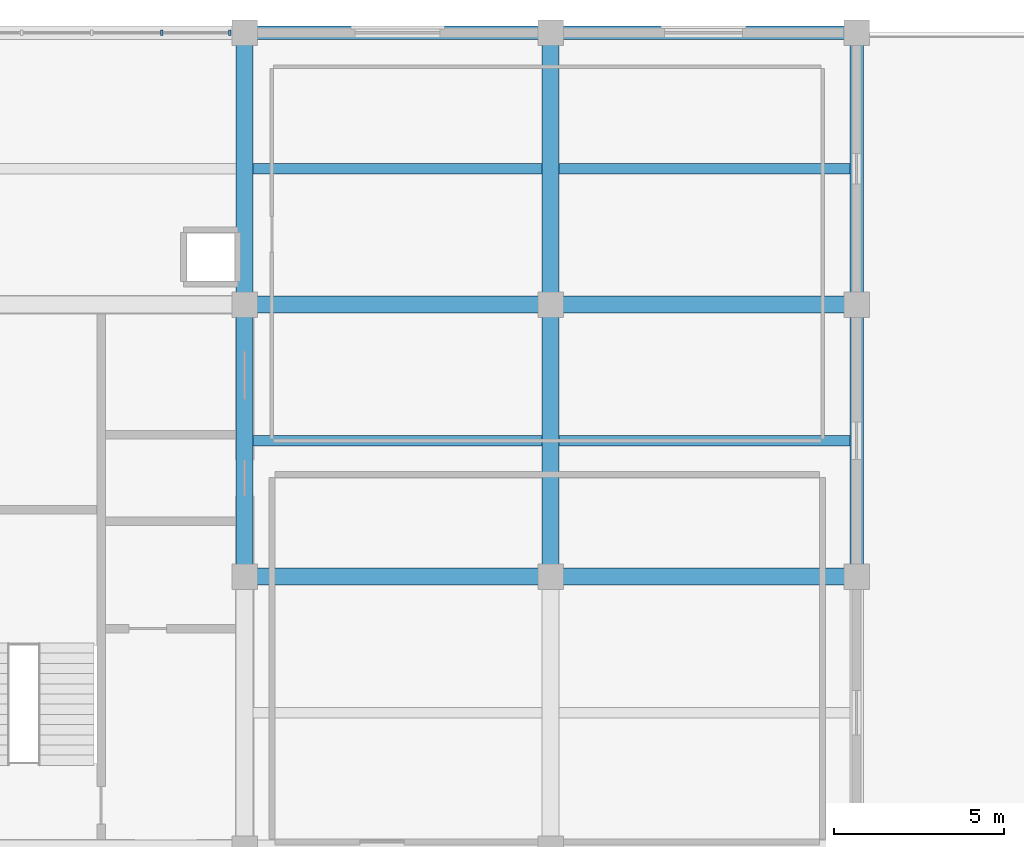
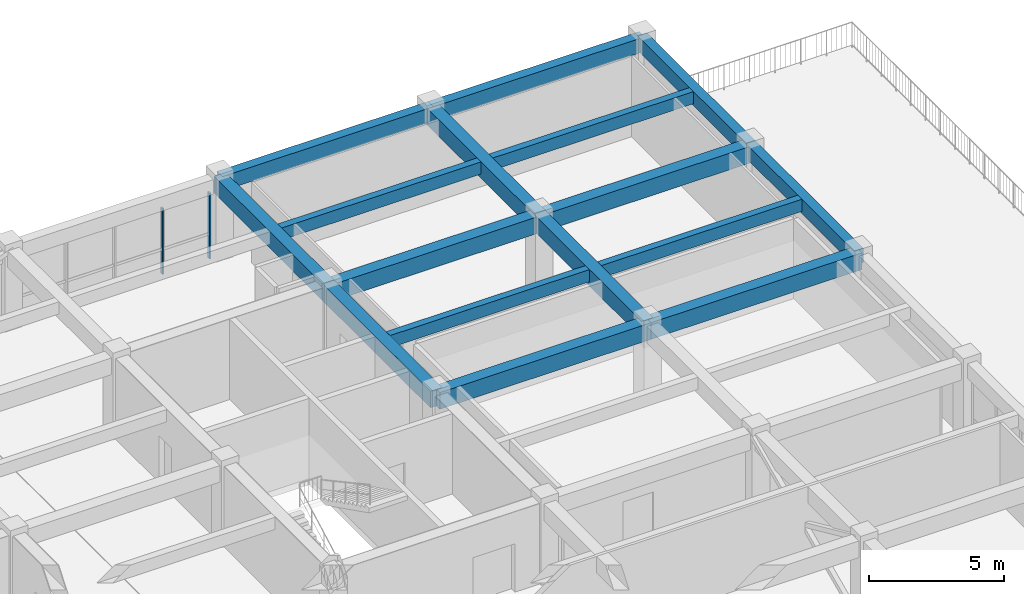
# One storey, part 9 of 15: 16 beams, 2 members, 1 element without a shape of its own.
"""IFC4 building model written with IfcOpenShell, lengths in metres."""

from ifc_helpers import new_model, si_unit, direction, frame, origin, origin_2d, place, context, subcontext, project, spatial, rectangle, extrude, material, material_profile, profile_set, type_object, element, aggregate, save


model = new_model("IFC4")

# Units and contexts
model_context = context("Model", 3, precision=1e-05, world=origin(), true_north=direction((0.0, 1.0)))
body_context = subcontext(model_context, "Body", "Model", "MODEL_VIEW")
ifc_project = project(units=[si_unit("LENGTHUNIT", "METRE"), si_unit("AREAUNIT", "SQUARE_METRE"), si_unit("VOLUMEUNIT", "CUBIC_METRE"), si_unit("PLANEANGLEUNIT", "RADIAN"), si_unit("MASSUNIT", "GRAM", prefix="KILO")], contexts=[model_context])

# Site, building, storey
site_placement = place(None, origin())
site = spatial("IfcSite", under=ifc_project, at=site_placement, CompositionType="ELEMENT")
building_placement = place(site_placement, origin())
building = spatial("IfcBuilding", under=site, at=building_placement, Name="Zaverband Oceanarium and Marine Research Institute", CompositionType="ELEMENT")
storey_placement = place(building_placement, frame((0.0, 0.0, 45.300048828125)))
storey = spatial("IfcBuildingStorey", under=building, at=storey_placement, Name="L11", CompositionType="ELEMENT", Elevation=45.300048828125)

# Beams
ifc_material_1 = material(Name="Concrete C40/50", Category="concrete")
ifc_material_profile_1 = material_profile(ifc_material_1, rectangle(XDim=0.5, YDim=0.75, at=origin_2d()), Name="RC500x750")
ifc_profile_set_1 = profile_set([ifc_material_profile_1], Name="Concrete C40/50")
beam_type_1 = type_object("IfcBeamType", Name="BM-500x750", PredefinedType="BEAM", material=ifc_profile_set_1)
for number, where, z_axis, x_axis, name in (
    (1, (45.0, 96.0, 3.244873046875), (1.0, 0.0, 0.0), (0.0, 1.0, 0.0), "Primary floor girder BM-500x750"),
    (2, (54.0, 96.0, 3.244873046875), (1.0, 0.0, 0.0), (0.0, 1.0, 0.0), "Primary floor girder BM-500x750"),
    (3, (45.0, 104.0, 3.244873046875), (1.0, 0.0, 0.0), (0.0, 1.0, 0.0), "Primary floor girder BM-500x750"),
    (4, (54.0, 104.0, 3.244873046875), (1.0, 0.0, 0.0), (0.0, 1.0, 0.0), "Primary floor girder BM-500x750"),
):
    element("IfcBeam", number, at=place(storey_placement, frame(where, z_axis=z_axis, x_axis=x_axis)), inside=storey, type_object=beam_type_1, Name=name, PredefinedType="BEAM", context=body_context, shape_type="SweptSolid", body=[
        extrude(rectangle(XDim=0.5, YDim=0.75, at=origin_2d()), origin(), (0.0, 0.0, 1.0), 9.0),
    ])
for number, where, z_axis, x_axis, name in (
    (5, (45.0, 96.0, 3.244873046875), (0.0, 1.0, 0.0), (-1.0, 0.0, 0.0), "Primary floor girder BM-500x750"),
    (6, (45.0, 104.0, 3.244873046875), (0.0, 1.0, 0.0), (-1.0, 0.0, 0.0), "Primary floor girder BM-500x750"),
    (7, (54.0, 96.0, 3.244873046875), (0.0, 1.0, 0.0), (-1.0, 0.0, 0.0), "Primary floor girder BM-500x750"),
    (8, (54.0, 104.0, 3.244873046875), (0.0, 1.0, 0.0), (-1.0, 0.0, 0.0), "Primary floor girder BM-500x750"),
):
    element("IfcBeam", number, at=place(storey_placement, frame(where, z_axis=z_axis, x_axis=x_axis)), inside=storey, type_object=beam_type_1, Name=name, PredefinedType="BEAM", context=body_context, shape_type="SweptSolid", body=[
        extrude(rectangle(XDim=0.5, YDim=0.75, at=origin_2d()), origin(), (0.0, 0.0, 1.0), 8.0),
    ])
ifc_material_profile_2 = material_profile(ifc_material_1, rectangle(XDim=0.300048828125, YDim=0.550048828125, at=origin_2d()), Name="RC300x550")
ifc_profile_set_2 = profile_set([ifc_material_profile_2], Name="Concrete C40/50")
beam_type_2 = type_object("IfcBeamType", Name="JST-300x550", PredefinedType="JOIST", material=ifc_profile_set_2)
for number, where, z_axis, x_axis, name in (
    (9, (45.25, 100.0, 3.344970703125), (1.0, 0.0, 0.0), (0.0, 1.0, 0.0), "Secondary floor joist JST-300x550"),
    (10, (45.25, 108.0, 3.344970703125), (1.0, 0.0, 0.0), (0.0, 1.0, 0.0), "Secondary floor joist JST-300x550"),
):
    element("IfcBeam", number, at=place(storey_placement, frame(where, z_axis=z_axis, x_axis=x_axis)), inside=storey, type_object=beam_type_2, Name=name, PredefinedType="JOIST", context=body_context, shape_type="SweptSolid", body=[
        extrude(rectangle(XDim=0.300048828125, YDim=0.550048828125, at=origin_2d()), origin(), (0.0, 0.0, 1.0), 8.5),
    ])
for number, where, z_axis, x_axis, name in (
    (11, (54.25, 100.0, 3.344970703125), (1.0, 0.0, 0.0), (0.0, 1.0, 0.0), "Secondary floor joist JST-300x550"),
    (12, (54.25, 108.0, 3.344970703125), (1.0, 0.0, 0.0), (0.0, 1.0, 0.0), "Secondary floor joist JST-300x550"),
):
    element("IfcBeam", number, at=place(storey_placement, frame(where, z_axis=z_axis, x_axis=x_axis)), inside=storey, type_object=beam_type_2, Name=name, PredefinedType="JOIST", context=body_context, shape_type="SweptSolid", body=[
        extrude(rectangle(XDim=0.300048828125, YDim=0.550048828125, at=origin_2d()), origin(), (0.0, 0.0, 1.0), 8.550048828125),
    ])

# Curtain wall, members
ifc_material_2 = material(Name="Thermally broken anodized aluminium and solar-control glass", Category="aluminium")
curtain_wall_type = type_object("IfcCurtainWallType", Name="CW-UNIT-1800", PredefinedType="NOTDEFINED", material=ifc_material_2)
curtain_wall_placement = place(storey_placement, origin())
curtain_wall = element("IfcCurtainWall", 13, at=curtain_wall_placement, inside=storey, type_object=curtain_wall_type, Name="Unitised glazed curtain wall CW-126", PredefinedType="NOTDEFINED")
ifc_material_3 = material(Name="Thermally broken anodized aluminium", Category="aluminium")
ifc_material_profile_3 = material_profile(ifc_material_3, rectangle(XDim=0.070068359375, YDim=0.14990234375, at=origin_2d()), Name="AL-MUL-70x150")
ifc_profile_set_3 = profile_set([ifc_material_profile_3], Name="Thermally broken anodized aluminium")
member_type = type_object("IfcMemberType", Name="MUL-70x150", PredefinedType="MULLION", material=ifc_profile_set_3)
member_1_placement = place(storey_placement, frame((42.56005859375, 112.0, 0.0), z_axis=(0.0, 0.0, 1.0), x_axis=(1.0, 0.0, 0.0)))
member_1 = element("IfcMember", 14, at=member_1_placement, type_object=member_type, Name="Curtain wall vertical mullion MUL-70x150", PredefinedType="MULLION", context=body_context, shape_type="SweptSolid", body=[
    extrude(rectangle(XDim=0.070068359375, YDim=0.14990234375, at=origin_2d()), origin(), (0.0, 0.0, 1.0), 2.949951171875),
])
member_2_placement = place(storey_placement, frame((44.56005859375, 112.0, 0.0), z_axis=(0.0, 0.0, 1.0), x_axis=(1.0, 0.0, 0.0)))
member_2 = element("IfcMember", 15, at=member_2_placement, type_object=member_type, Name="Curtain wall vertical mullion MUL-70x150", PredefinedType="MULLION", context=body_context, shape_type="SweptSolid", body=[
    extrude(rectangle(XDim=0.070068359375, YDim=0.14990234375, at=origin_2d()), origin(), (0.0, 0.0, 1.0), 2.949951171875),
])
aggregate(curtain_wall, [member_1, member_2])

# Beams
ifc_material_profile_4 = material_profile(ifc_material_1, rectangle(XDim=0.39990234375, YDim=0.64990234375, at=origin_2d()), Name="RC400x650")
ifc_profile_set_4 = profile_set([ifc_material_profile_4], Name="Concrete C40/50")
beam_type_3 = type_object("IfcBeamType", Name="SPN-400x650", PredefinedType="SPANDREL", material=ifc_profile_set_4)
for number, where, z_axis, x_axis, name in (
    (16, (45.0, 112.0, 3.294921875), (1.0, 0.0, 0.0), (0.0, 1.0, 0.0), "Perimeter spandrel beam SPN-400x650"),
    (17, (54.0, 112.0, 3.294921875), (1.0, 0.0, 0.0), (0.0, 1.0, 0.0), "Perimeter spandrel beam SPN-400x650"),
):
    element("IfcBeam", number, at=place(storey_placement, frame(where, z_axis=z_axis, x_axis=x_axis)), inside=storey, type_object=beam_type_3, Name=name, PredefinedType="SPANDREL", context=body_context, shape_type="SweptSolid", body=[
        extrude(rectangle(XDim=0.39990234375, YDim=0.64990234375, at=origin_2d()), origin(), (0.0, 0.0, 1.0), 9.0),
    ])
for number, where, z_axis, x_axis, name in (
    (18, (63.0, 96.0, 3.294921875), (0.0, 1.0, 0.0), (-1.0, 0.0, 0.0), "Perimeter spandrel beam SPN-400x650"),
    (19, (63.0, 104.0, 3.294921875), (0.0, 1.0, 0.0), (-1.0, 0.0, 0.0), "Perimeter spandrel beam SPN-400x650"),
):
    element("IfcBeam", number, at=place(storey_placement, frame(where, z_axis=z_axis, x_axis=x_axis)), inside=storey, type_object=beam_type_3, Name=name, PredefinedType="SPANDREL", context=body_context, shape_type="SweptSolid", body=[
        extrude(rectangle(XDim=0.39990234375, YDim=0.64990234375, at=origin_2d()), origin(), (0.0, 0.0, 1.0), 8.0),
    ])

save(model, "model.ifc")
